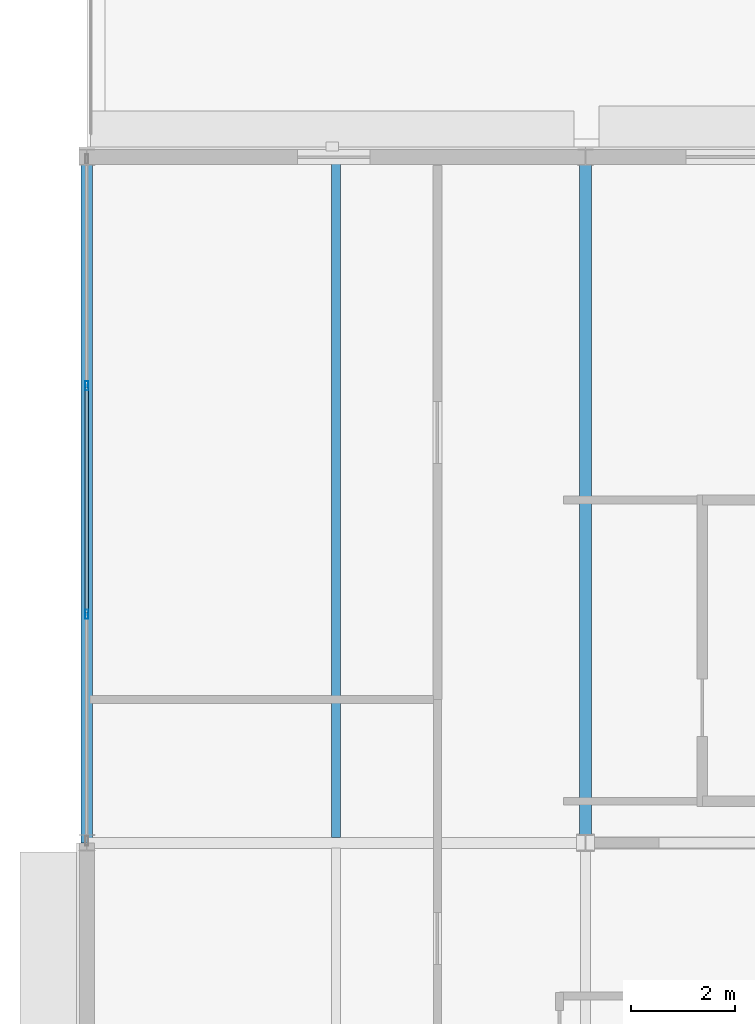
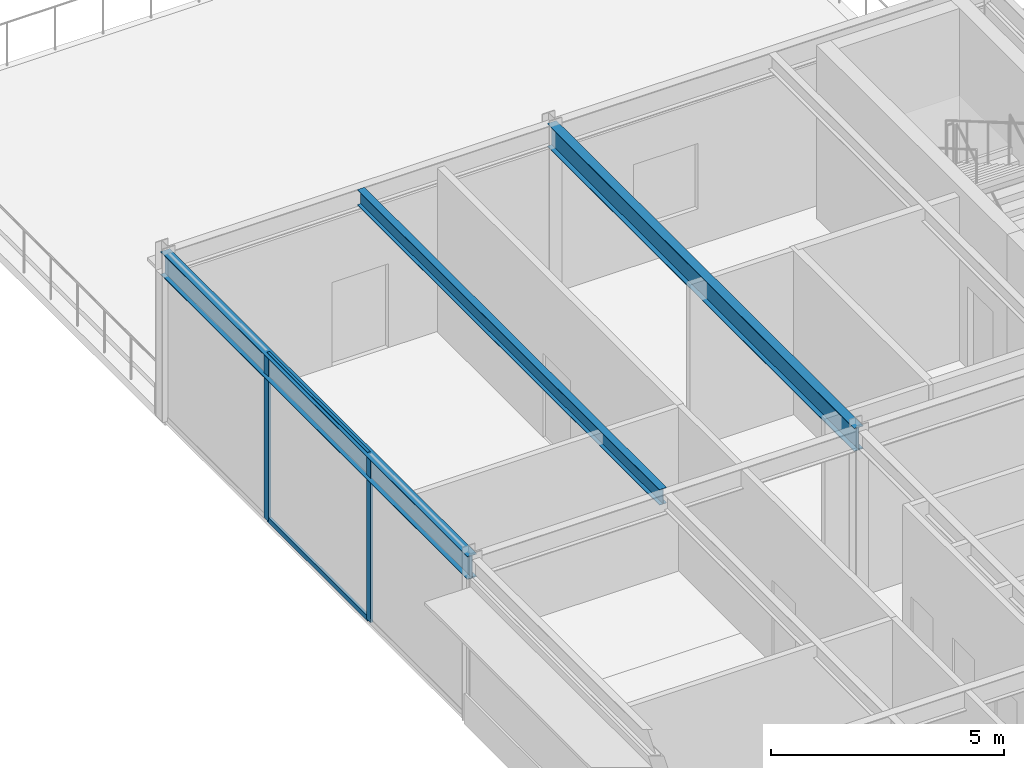
# One storey, part 10 of 18: 4 members, 3 beams, 1 element without a shape of its own.
"""IFC4 building model written with IfcOpenShell, lengths in metres."""

from ifc_helpers import new_model, si_unit, direction, frame, origin, origin_2d, place, context, subcontext, project, spatial, hollow_rectangle, i_section, extrude, material, material_profile, profile_set, type_object, element, aggregate, save


model = new_model("IFC4")

# Units and contexts
model_context = context("Model", 3, precision=1e-05, world=origin(), true_north=direction((0.0, 1.0)))
body_context = subcontext(model_context, "Body", "Model", "MODEL_VIEW")
ifc_project = project(units=[si_unit("LENGTHUNIT", "METRE"), si_unit("AREAUNIT", "SQUARE_METRE"), si_unit("VOLUMEUNIT", "CUBIC_METRE"), si_unit("PLANEANGLEUNIT", "RADIAN"), si_unit("MASSUNIT", "GRAM", prefix="KILO")], contexts=[model_context])

# Site, building, storey
site_placement = place(None, origin())
site = spatial("IfcSite", under=ifc_project, at=site_placement, CompositionType="ELEMENT")
building_placement = place(site_placement, origin())
building = spatial("IfcBuilding", under=site, at=building_placement, Name="Almandine Court Research Institute", CompositionType="ELEMENT")
storey_placement = place(building_placement, frame((0.0, 0.0, 37.10009765625)))
storey = spatial("IfcBuildingStorey", under=building, at=storey_placement, Name="L08", CompositionType="ELEMENT", Elevation=37.10009765625)

# Beams
ifc_material_1 = material(Name="Steel ASTM A992 Grade 50", Category="steel")
ifc_material_profile_1 = material_profile(ifc_material_1, i_section(OverallWidth=0.178955078125, OverallDepth=0.409912109375, WebThickness=0.009033203125, FlangeThickness=0.013916015625, at=origin_2d()), Name="W410x67")
ifc_profile_set_1 = profile_set([ifc_material_profile_1], Name="Steel ASTM A992 Grade 50")
beam_type_1 = type_object("IfcBeamType", Name="Beam-B-02", PredefinedType="JOIST", material=ifc_profile_set_1)
beam_placement = place(storey_placement, frame((158.39990234375, 44.5029296875, 4.179931640625), z_axis=(0.0, 1.0, 0.0), x_axis=(-1.0, 0.0, 0.0)))
element("IfcBeam", 1, at=beam_placement, inside=storey, type_object=beam_type_1, Name="L08 V4 Composite Secondary Beam", PredefinedType="JOIST", context=body_context, shape_type="SweptSolid", body=[
    extrude(i_section(OverallWidth=0.178955078125, OverallDepth=0.409912109375, WebThickness=0.009033203125, FlangeThickness=0.013916015625, at=origin_2d()), origin(), (0.0, 0.0, 1.0), 12.994140625),
])
ifc_material_profile_2 = material_profile(ifc_material_1, i_section(OverallWidth=0.22802734375, OverallDepth=0.60791015625, WebThickness=0.010986328125, FlangeThickness=0.01708984375, at=origin_2d()), Name="W610x113")
ifc_profile_set_2 = profile_set([ifc_material_profile_2], Name="Steel ASTM A992 Grade 50")
beam_type_2 = type_object("IfcBeamType", Name="Beam-G-03", PredefinedType="BEAM", material=ifc_profile_set_2)
for number, where, z_axis, x_axis, name in (
    (2, (153.60009765625, 44.39990234375, 4.080810546875), (0.0, 1.0, 0.0), (-1.0, 0.0, 0.0), "L08 V4 Primary Y Girder"),
    (3, (163.199951171875, 44.39990234375, 4.080810546875), (0.0, 1.0, 0.0), (-1.0, 0.0, 0.0), "L08 V4 Primary Y Girder"),
):
    element("IfcBeam", number, at=place(storey_placement, frame(where, z_axis=z_axis, x_axis=x_axis)), inside=storey, type_object=beam_type_2, Name=name, PredefinedType="BEAM", context=body_context, shape_type="SweptSolid", body=[
        extrude(i_section(OverallWidth=0.22802734375, OverallDepth=0.60791015625, WebThickness=0.010986328125, FlangeThickness=0.01708984375, at=origin_2d()), origin(), (0.0, 0.0, 1.0), 13.2001953125),
    ])

# Curtain wall, members
ifc_material_2 = material(Name="Unitised Curtain Wall Framing and Solar Glazing", Category="glass")
curtain_wall_type = type_object("IfcCurtainWallType", Name="CW-CWJ-15", PredefinedType="USERDEFINED", material=ifc_material_2)
curtain_wall_placement = place(storey_placement, origin())
curtain_wall = element("IfcCurtainWall", 4, at=curtain_wall_placement, inside=storey, type_object=curtain_wall_type, Name="L08 Wet Lab West Courtyard Jali Curtain Wall 5", ObjectType="SOLAR JALI SCREEN", PredefinedType="USERDEFINED")
ifc_material_3 = material(Name="Anodised Aluminium AW-6063-T6", Category="aluminium")
ifc_material_profile_3 = material_profile(ifc_material_3, hollow_rectangle(XDim=0.06494140625, YDim=0.179931640625, WallThickness=0.00390625, at=origin_2d()), Name="ALU RHS 65x180x4")
ifc_profile_set_3 = profile_set([ifc_material_profile_3], Name="Anodised Aluminium AW-6063-T6")
member_type_1 = type_object("IfcMemberType", Name="CWMul-65x180", PredefinedType="MULLION", material=ifc_profile_set_3)
member_1_placement = place(storey_placement, frame((153.60009765625, 48.80126953125, 0.0), z_axis=(0.0, 0.0, 1.0), x_axis=(-1.0, 0.0, 0.0)))
member_1 = element("IfcMember", 5, at=member_1_placement, type_object=member_type_1, Name="CWJ-15 mullion 2", PredefinedType="MULLION", context=body_context, shape_type="SweptSolid", body=[
    extrude(hollow_rectangle(XDim=0.06494140625, YDim=0.179931640625, WallThickness=0.00390625, at=origin_2d()), origin(), (0.0, 0.0, 1.0), 4.369873046875),
])
member_2_placement = place(storey_placement, frame((153.60009765625, 53.19873046875, 0.0), z_axis=(0.0, 0.0, 1.0), x_axis=(-1.0, 0.0, 0.0)))
member_2 = element("IfcMember", 6, at=member_2_placement, type_object=member_type_1, Name="CWJ-15 mullion 3", PredefinedType="MULLION", context=body_context, shape_type="SweptSolid", body=[
    extrude(hollow_rectangle(XDim=0.06494140625, YDim=0.179931640625, WallThickness=0.00390625, at=origin_2d()), origin(), (0.0, 0.0, 1.0), 4.369873046875),
])
ifc_material_profile_4 = material_profile(ifc_material_3, hollow_rectangle(XDim=0.06494140625, YDim=0.1298828125, WallThickness=0.00390625, at=origin_2d()), Name="ALU RHS 65x130x4")
ifc_profile_set_4 = profile_set([ifc_material_profile_4], Name="Anodised Aluminium AW-6063-T6")
member_type_2 = type_object("IfcMemberType", Name="CWTrn-65x130", PredefinedType="NOTDEFINED", material=ifc_profile_set_4)
member_3_placement = place(storey_placement, frame((153.60009765625, 48.833740234375, 0.032470703125), z_axis=(0.0, 1.0, 0.0), x_axis=(-1.0, 0.0, 0.0)))
member_3 = element("IfcMember", 7, at=member_3_placement, type_object=member_type_2, Name="CWJ-15 transom 2.1", ObjectType="TRANSOM", PredefinedType="USERDEFINED", context=body_context, shape_type="SweptSolid", body=[
    extrude(hollow_rectangle(XDim=0.06494140625, YDim=0.1298828125, WallThickness=0.00390625, at=origin_2d()), origin(), (0.0, 0.0, 1.0), 4.33251953125),
])
member_4_placement = place(storey_placement, frame((153.60009765625, 48.833740234375, 4.33740234375), z_axis=(0.0, 1.0, 0.0), x_axis=(-1.0, 0.0, 0.0)))
member_4 = element("IfcMember", 8, at=member_4_placement, type_object=member_type_2, Name="CWJ-15 transom 2.2", ObjectType="TRANSOM", PredefinedType="USERDEFINED", context=body_context, shape_type="SweptSolid", body=[
    extrude(hollow_rectangle(XDim=0.06494140625, YDim=0.1298828125, WallThickness=0.00390625, at=origin_2d()), origin(), (0.0, 0.0, 1.0), 4.33251953125),
])
aggregate(curtain_wall, [member_1, member_2, member_3, member_4])

save(model, "model.ifc")
